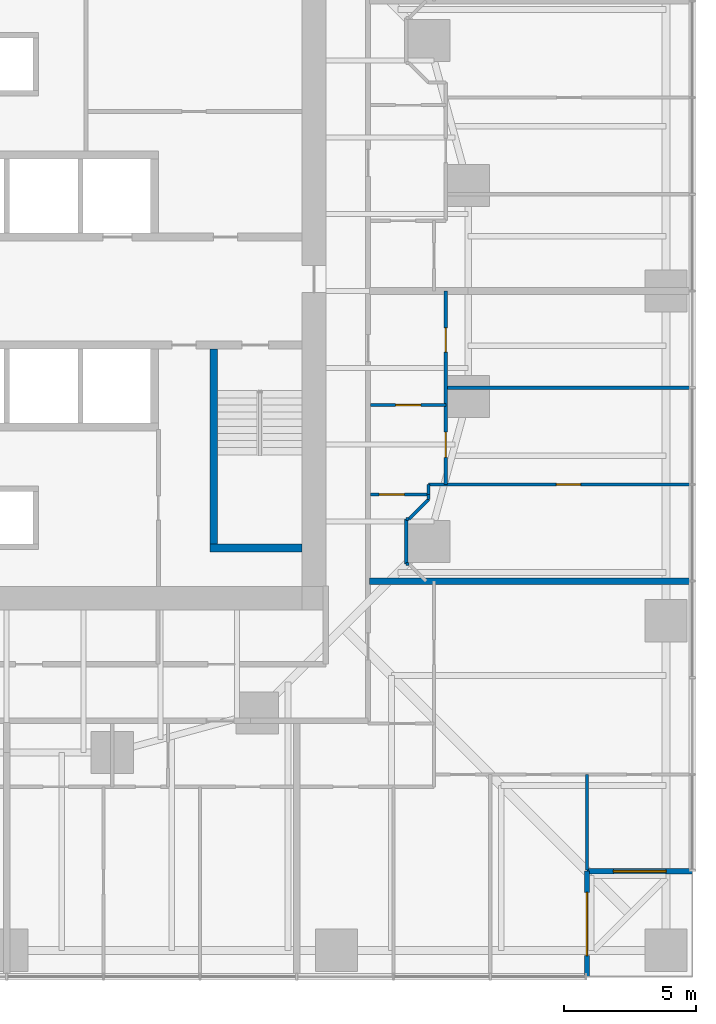
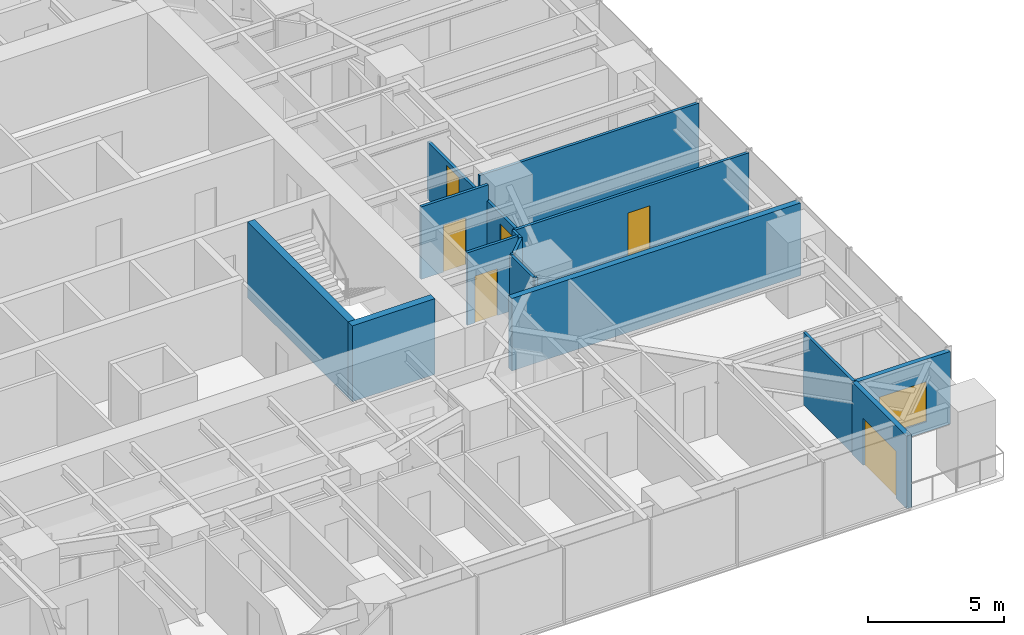
# One storey, part 12 of 18: 17 walls, 6 doors, 1 window, 7 openings.
"""IFC4 building model written with IfcOpenShell, lengths in metres."""

from ifc_helpers import new_model, si_unit, direction, frame, frame_2d, origin, place, context, subcontext, project, spatial, rectangle, extrude, material, layer, layer_set, type_object, element, fill, save


model = new_model("IFC4")

# Units and contexts
model_context = context("Model", 3, precision=1e-05, world=origin(), true_north=direction((0.0, 1.0)))
body_context = subcontext(model_context, "Body", "Model", "MODEL_VIEW")
ifc_project = project(units=[si_unit("LENGTHUNIT", "METRE"), si_unit("AREAUNIT", "SQUARE_METRE"), si_unit("VOLUMEUNIT", "CUBIC_METRE"), si_unit("PLANEANGLEUNIT", "RADIAN"), si_unit("MASSUNIT", "GRAM", prefix="KILO")], contexts=[model_context])

# Site, building, storey
site_placement = place(None, origin())
site = spatial("IfcSite", under=ifc_project, at=site_placement, CompositionType="ELEMENT")
building_placement = place(site_placement, origin())
building = spatial("IfcBuilding", under=site, at=building_placement, Name="Torsade Residences", CompositionType="ELEMENT")
storey_placement = place(building_placement, frame((0.0, 0.0, 25.199951171875)))
storey = spatial("IfcBuildingStorey", under=building, at=storey_placement, Name="L06", CompositionType="ELEMENT", Elevation=25.199951171875)

# Walls
ifc_material_1 = material(Name="Concrete 80 MPa", Category="concrete")
ifc_layer_1 = layer(ifc_material_1, 0.300048828125)
ifc_layer_set_1 = layer_set([ifc_layer_1], Name="Concrete 80 MPa")
wall_type_1 = type_object("IfcWallType", Name="CORE INTERNAL WALL 300", PredefinedType="SHEAR", material=ifc_layer_set_1)
wall_1_placement = place(storey_placement, frame((47.85009765625, 27.800048828125, 0.0), z_axis=(0.0, 0.0, 1.0), x_axis=(0.0, -1.0, 0.0)))
element("IfcWall", 1, at=wall_1_placement, inside=storey, type_object=wall_type_1, Name="Core wall ST2W L06", PredefinedType="SHEAR", context=body_context, shape_type="SweptSolid", body=[
    extrude(rectangle(XDim=7.699951171875, YDim=0.300048828125, at=frame_2d((3.85009765625, 0.0))), origin(), (0.0, 0.0, 1.0), 3.400146484375),
])
wall_2_placement = place(storey_placement, frame((51.199951171875, 20.25, 0.0), z_axis=(0.0, 0.0, 1.0), x_axis=(-1.0, 0.0, 0.0)))
element("IfcWall", 2, at=wall_2_placement, inside=storey, type_object=wall_type_1, Name="Core wall ST2S L06", PredefinedType="SHEAR", context=body_context, shape_type="SweptSolid", body=[
    extrude(rectangle(XDim=3.5, YDim=0.300048828125, at=frame_2d((1.75, 0.0))), origin(), (0.0, 0.0, 1.0), 3.400146484375),
])
ifc_material_2 = material(Name="Plasterboard on steel stud", Category="steel")
ifc_layer_2 = layer(ifc_material_2, 0.1201171875)
ifc_layer_set_2 = layer_set([ifc_layer_2], Name="Plasterboard on steel stud")
wall_type_2 = type_object("IfcWallType", Name="PARTITION 120", PredefinedType="PARTITIONING", material=ifc_layer_set_2)
wall_3_placement = place(storey_placement, frame((62.0, 11.666748046875, 0.0), z_axis=(0.0, 0.0, 1.0), x_axis=(0.0, -1.0, 0.0)))
element("IfcWall", 3, at=wall_3_placement, inside=storey, type_object=wall_type_2, Name="Partition L06", PredefinedType="PARTITIONING", context=body_context, shape_type="SweptSolid", body=[
    extrude(rectangle(XDim=3.626708984375, YDim=0.1201171875, at=frame_2d((1.8134765625, 0.0))), origin(), (0.0, 0.0, 1.0), 3.25),
])

# Wall, opening, door
wall_4_placement = place(storey_placement, frame((56.64990234375, 25.671875, 0.0), z_axis=(0.0, 0.0, 1.0), x_axis=(-1.0, 0.0, 0.0)))
wall_4 = element("IfcWall", 4, at=wall_4_placement, inside=storey, type_object=wall_type_2, Name="Partition L06", PredefinedType="PARTITIONING", context=body_context, shape_type="SweptSolid", body=[
    extrude(rectangle(XDim=2.849853515625, YDim=0.1201171875, at=frame_2d((1.4248046875, 0.0))), origin(), (0.0, 0.0, 1.0), 3.25),
])
opening_1_placement = place(wall_4_placement, frame((0.945068359375, 0.0, 0.0)))
opening_1 = element("IfcOpeningElement", 5, at=opening_1_placement, cuts=wall_4, Name="Opening D05", PredefinedType="OPENING", context=body_context, shape_type="SweptSolid", body=[
    extrude(rectangle(XDim=0.9599609375, YDim=2.10009765625, at=frame_2d((0.47998046875, 1.050048828125))), frame((0.0, 0.070068359375, 0.0), z_axis=(0.0, -1.0, 0.0), x_axis=(1.0, 0.0, 0.0)), (0.0, 0.0, 1.0), 0.14013671875),
])
ifc_material_3 = material(Name="Hollow-core timber door in a steel cavity frame", Category="steel")
door_type_1 = type_object("IfcDoorType", Name="BATHROOM CAVITY SLIDING DOOR 960", OperationType="SLIDING_TO_LEFT", PredefinedType="DOOR", material=ifc_material_3)
door_1_placement = place(opening_1_placement, origin())
door_1 = element("IfcDoor", 6, at=door_1_placement, inside=storey, type_object=door_type_1, Name="Door Kitchen and dining to Bathroom", OperationType="SLIDING_TO_LEFT", OverallHeight=2.10009765625, OverallWidth=0.9599609375, PredefinedType="DOOR", context=body_context, shape_type="SweptSolid", body=[
    extrude(rectangle(XDim=0.9599609375, YDim=2.10009765625, at=frame_2d((0.47998046875, 1.050048828125))), frame((0.0, 0.02490234375, 0.0), z_axis=(0.0, -1.0, 0.0), x_axis=(1.0, 0.0, 0.0)), (0.0, 0.0, 1.0), 0.050048828125),
])
fill(opening_1, door_1)

# Wall, openings, doors
wall_5_placement = place(storey_placement, frame((56.64990234375, 30.0, 0.0), z_axis=(0.0, 0.0, 1.0), x_axis=(0.0, -1.0, 0.0)))
wall_5 = element("IfcWall", 7, at=wall_5_placement, inside=storey, type_object=wall_type_2, Name="Partition L06", PredefinedType="PARTITIONING", context=body_context, shape_type="SweptSolid", body=[
    extrude(rectangle(XDim=7.333251953125, YDim=0.1201171875, at=frame_2d((3.66650390625, 0.0))), origin(), (0.0, 0.0, 1.0), 2.550048828125),
])
opening_2_placement = place(wall_5_placement, frame((1.3984375, 0.0, 0.0)))
opening_2 = element("IfcOpeningElement", 8, at=opening_2_placement, cuts=wall_5, Name="Opening D02", PredefinedType="OPENING", context=body_context, shape_type="SweptSolid", body=[
    extrude(rectangle(XDim=0.919921875, YDim=2.340087890625, at=frame_2d((0.4599609375, 1.169921875))), frame((0.0, 0.070068359375, 0.0), z_axis=(0.0, -1.0, 0.0), x_axis=(1.0, 0.0, 0.0)), (0.0, 0.0, 1.0), 0.14013671875),
])
opening_3_placement = place(wall_5_placement, frame((5.350830078125, 0.0, 0.0)))
opening_3 = element("IfcOpeningElement", 9, at=opening_3_placement, cuts=wall_5, Name="Opening D05", PredefinedType="OPENING", context=body_context, shape_type="SweptSolid", body=[
    extrude(rectangle(XDim=0.9599609375, YDim=2.10009765625, at=frame_2d((0.47998046875, 1.050048828125))), frame((0.0, 0.070068359375, 0.0), z_axis=(0.0, -1.0, 0.0), x_axis=(1.0, 0.0, 0.0)), (0.0, 0.0, 1.0), 0.14013671875),
])
door_2_placement = place(opening_3_placement, origin())
door_2 = element("IfcDoor", 10, at=door_2_placement, inside=storey, type_object=door_type_1, Name="Door Bathroom to Bedroom 2", OperationType="SLIDING_TO_LEFT", OverallHeight=2.10009765625, OverallWidth=0.9599609375, PredefinedType="DOOR", context=body_context, shape_type="SweptSolid", body=[
    extrude(rectangle(XDim=0.9599609375, YDim=2.10009765625, at=frame_2d((0.47998046875, 1.050048828125))), frame((0.0, 0.02490234375, 0.0), z_axis=(0.0, -1.0, 0.0), x_axis=(1.0, 0.0, 0.0)), (0.0, 0.0, 1.0), 0.050048828125),
])
fill(opening_3, door_2)
ifc_material_4 = material(Name="Hollow-core timber door", Category="wood")
door_type_2 = type_object("IfcDoorType", Name="INTERNAL DOOR 920x2340", OperationType="NOTDEFINED", PredefinedType="DOOR", material=ifc_material_4)
door_3_placement = place(opening_2_placement, origin())
door_3 = element("IfcDoor", 11, at=door_3_placement, inside=storey, type_object=door_type_2, Name="Door Kitchen and dining to Bedroom 1", OperationType="SINGLE_SWING_RIGHT", OverallHeight=2.340087890625, OverallWidth=0.919921875, PredefinedType="DOOR", context=body_context, shape_type="SweptSolid", body=[
    extrude(rectangle(XDim=0.919921875, YDim=2.340087890625, at=frame_2d((0.4599609375, 1.169921875))), frame((0.0, 0.02490234375, 0.0), z_axis=(0.0, -1.0, 0.0), x_axis=(1.0, 0.0, 0.0)), (0.0, 0.0, 1.0), 0.050048828125),
])
fill(opening_2, door_3)

# Wall, opening, door
wall_6_placement = place(storey_placement, frame((56.0, 22.278076171875, 0.0), z_axis=(0.0, 0.0, 1.0), x_axis=(-1.0, 0.0, 0.0)))
wall_6 = element("IfcWall", 12, at=wall_6_placement, inside=storey, type_object=wall_type_2, Name="Partition L06", PredefinedType="PARTITIONING", context=body_context, shape_type="SweptSolid", body=[
    extrude(rectangle(XDim=2.199951171875, YDim=0.1201171875, at=frame_2d((1.10009765625, 0.0))), origin(), (0.0, 0.0, 1.0), 3.25),
])
opening_4_placement = place(wall_6_placement, frame((0.919921875, 0.0, 0.0)))
opening_4 = element("IfcOpeningElement", 13, at=opening_4_placement, cuts=wall_6, Name="Opening D05", PredefinedType="OPENING", context=body_context, shape_type="SweptSolid", body=[
    extrude(rectangle(XDim=0.9599609375, YDim=2.10009765625, at=frame_2d((0.47998046875, 1.050048828125))), frame((0.0, 0.070068359375, 0.0), z_axis=(0.0, -1.0, 0.0), x_axis=(1.0, 0.0, 0.0)), (0.0, 0.0, 1.0), 0.14013671875),
])
door_4_placement = place(opening_4_placement, origin())
door_4 = element("IfcDoor", 14, at=door_4_placement, inside=storey, type_object=door_type_1, Name="Door Bathroom to Ensuite", OperationType="SLIDING_TO_LEFT", OverallHeight=2.10009765625, OverallWidth=0.9599609375, PredefinedType="DOOR", context=body_context, shape_type="SweptSolid", body=[
    extrude(rectangle(XDim=0.9599609375, YDim=2.10009765625, at=frame_2d((0.47998046875, 1.050048828125))), frame((0.0, 0.02490234375, 0.0), z_axis=(0.0, -1.0, 0.0), x_axis=(1.0, 0.0, 0.0)), (0.0, 0.0, 1.0), 0.050048828125),
])
fill(opening_4, door_4)

wall_7_placement = place(storey_placement, frame((65.9599609375, 22.666748046875, 0.0), z_axis=(0.0, 0.0, 1.0), x_axis=(-1.0, 0.0, 0.0)))
wall_7 = element("IfcWall", 15, at=wall_7_placement, inside=storey, type_object=wall_type_2, Name="Partition L06", PredefinedType="PARTITIONING", context=body_context, shape_type="SweptSolid", body=[
    extrude(rectangle(XDim=9.9599609375, YDim=0.1201171875, at=frame_2d((4.97998046875, 0.0))), origin(), (0.0, 0.0, 1.0), 3.25),
])
opening_5_placement = place(wall_7_placement, frame((4.199951171875, 0.0, 0.0)))
opening_5 = element("IfcOpeningElement", 16, at=opening_5_placement, cuts=wall_7, Name="Opening D02", PredefinedType="OPENING", context=body_context, shape_type="SweptSolid", body=[
    extrude(rectangle(XDim=0.919921875, YDim=2.340087890625, at=frame_2d((0.4599609375, 1.169921875))), frame((0.0, 0.070068359375, 0.0), z_axis=(0.0, -1.0, 0.0), x_axis=(1.0, 0.0, 0.0)), (0.0, 0.0, 1.0), 0.14013671875),
])
door_5_placement = place(opening_5_placement, origin())
door_5 = element("IfcDoor", 17, at=door_5_placement, inside=storey, type_object=door_type_2, Name="Door Bedroom 2 to Living room", OperationType="SINGLE_SWING_RIGHT", OverallHeight=2.340087890625, OverallWidth=0.919921875, PredefinedType="DOOR", context=body_context, shape_type="SweptSolid", body=[
    extrude(rectangle(XDim=0.919921875, YDim=2.340087890625, at=frame_2d((0.4599609375, 1.169921875))), frame((0.0, 0.02490234375, 0.0), z_axis=(0.0, -1.0, 0.0), x_axis=(1.0, 0.0, 0.0)), (0.0, 0.0, 1.0), 0.050048828125),
])
fill(opening_5, door_5)

# Walls
wall_8_placement = place(storey_placement, frame((56.0, 22.666748046875, 0.0), z_axis=(0.0, 0.0, 1.0), x_axis=(0.0, -1.0, 0.0)))
element("IfcWall", 18, at=wall_8_placement, inside=storey, type_object=wall_type_2, Name="Partition L06", PredefinedType="PARTITIONING", context=body_context, shape_type="SweptSolid", body=[
    extrude(rectangle(XDim=0.388671875, YDim=0.1201171875, at=frame_2d((0.1943359375, 0.0))), origin(), (0.0, 0.0, 1.0), 3.25),
])
wall_9_placement = place(storey_placement, frame((56.0, 22.10009765625, 0.0), z_axis=(0.0, 0.0, 1.0), x_axis=(-0.707106781187, -0.707106781187, 0.0)))
element("IfcWall", 19, at=wall_9_placement, inside=storey, type_object=wall_type_2, Name="Partition L06", PredefinedType="PARTITIONING", context=body_context, shape_type="SweptSolid", body=[
    extrude(rectangle(XDim=1.060546875, YDim=0.1201171875, at=frame_2d((0.5302734375, 0.0))), origin(), (0.0, 0.0, 1.0), 3.25),
])
wall_10_placement = place(storey_placement, frame((55.14990234375, 21.35009765625, 0.0), z_axis=(0.0, 0.0, 1.0), x_axis=(0.0, -1.0, 0.0)))
element("IfcWall", 20, at=wall_10_placement, inside=storey, type_object=wall_type_2, Name="Partition L06", PredefinedType="PARTITIONING", context=body_context, shape_type="SweptSolid", body=[
    extrude(rectangle(XDim=1.7001953125, YDim=0.1201171875, at=frame_2d((0.85009765625, 0.0))), origin(), (0.0, 0.0, 1.0), 3.25),
])
wall_11_placement = place(storey_placement, frame((65.9599609375, 26.333251953125, 0.0), z_axis=(0.0, 0.0, 1.0), x_axis=(-1.0, 0.0, 0.0)))
element("IfcWall", 21, at=wall_11_placement, inside=storey, type_object=wall_type_2, Name="Partition L06", PredefinedType="PARTITIONING", context=body_context, shape_type="SweptSolid", body=[
    extrude(rectangle(XDim=9.31005859375, YDim=0.1201171875, at=frame_2d((4.655029296875, 0.0))), origin(), (0.0, 0.0, 1.0), 3.25),
])
wall_12_placement = place(storey_placement, frame((56.0, 22.10009765625, 0.0), z_axis=(0.0, 0.0, 1.0), x_axis=(0.0, 1.0, 0.0)))
element("IfcWall", 22, at=wall_12_placement, inside=storey, type_object=wall_type_2, Name="Partition L06", PredefinedType="PARTITIONING", context=body_context, shape_type="SweptSolid", body=[
    extrude(rectangle(XDim=0.177978515625, YDim=0.1201171875, at=frame_2d((0.0888671875, 0.0))), origin(), (0.0, 0.0, 1.0), 3.25),
])
for number, where, z_axis, x_axis, name in (
    (23, (55.14990234375, 21.35009765625, 0.0), (0.0, 0.0, 1.0), (1.0, 0.0, 0.0), "Partition L06"),
    (24, (55.14990234375, 19.64990234375, 0.0), (0.0, 0.0, 1.0), (1.0, 0.0, 0.0), "Partition L06"),
):
    element("IfcWall", number, at=place(storey_placement, frame(where, z_axis=z_axis, x_axis=x_axis)), inside=storey, type_object=wall_type_2, Name=name, PredefinedType="PARTITIONING", context=body_context, shape_type="SweptSolid", body=[
        extrude(rectangle(XDim=0.10009765625, YDim=0.1201171875, at=frame_2d((0.050048828125, 0.0))), origin(), (0.0, 0.0, 1.0), 3.25),
    ])
ifc_material_5 = material(Name="Masonry-lined stud party wall", Category="masonry")
ifc_layer_3 = layer(ifc_material_5, 0.25)
ifc_layer_set_3 = layer_set([ifc_layer_3], Name="Masonry-lined stud party wall")
wall_type_3 = type_object("IfcWallType", Name="PARTY WALL 250", PredefinedType="PARTITIONING", material=ifc_layer_set_3)
wall_13_placement = place(storey_placement, frame((66.0, 19.0, 0.0), z_axis=(0.0, 0.0, 1.0), x_axis=(-1.0, 0.0, 0.0)))
element("IfcWall", 25, at=wall_13_placement, inside=storey, type_object=wall_type_3, Name="Party wall L06", PredefinedType="PARTITIONING", context=body_context, shape_type="SweptSolid", body=[
    extrude(rectangle(XDim=12.239990234375, YDim=0.25, at=frame_2d((6.1201171875, 0.0))), origin(), (0.0, 0.0, 1.0), 3.25),
])

# Wall, opening, door
ifc_material_6 = material(Name="Stone-faced precast concrete 40 MPa panel", Category="masonry")
ifc_layer_4 = layer(ifc_material_6, 0.199951171875)
ifc_layer_set_4 = layer_set([ifc_layer_4], Name="Stone-faced precast concrete 40 MPa panel")
wall_type_4 = type_object("IfcWallType", Name="TERRACE WALL 200", PredefinedType="SOLIDWALL", material=ifc_layer_set_4)
wall_14_placement = place(storey_placement, frame((62.0, 4.0, 0.0), z_axis=(0.0, 0.0, 1.0), x_axis=(0.0, 1.0, 0.0)))
wall_14 = element("IfcWall", 26, at=wall_14_placement, inside=storey, type_object=wall_type_4, Name="Terrace wall L06 2", PredefinedType="SOLIDWALL", context=body_context, shape_type="SweptSolid", body=[
    extrude(rectangle(XDim=4.0, YDim=0.199951171875, at=frame_2d((2.0, 0.0))), origin(), (0.0, 0.0, 1.0), 3.25),
])
opening_6_placement = place(wall_14_placement, frame((0.800048828125, 0.0, 0.0)))
opening_6 = element("IfcOpeningElement", 27, at=opening_6_placement, cuts=wall_14, Name="Opening D10A", PredefinedType="OPENING", context=body_context, shape_type="SweptSolid", body=[
    extrude(rectangle(XDim=2.39990234375, YDim=2.10009765625, at=frame_2d((1.199951171875, 1.050048828125))), frame((0.0, 0.10986328125, 0.0), z_axis=(0.0, -1.0, 0.0), x_axis=(1.0, 0.0, 0.0)), (0.0, 0.0, 1.0), 0.219970703125),
])
ifc_material_7 = material(Name="Aluminium-framed glass door", Category="aluminium")
door_type_3 = type_object("IfcDoorType", Name="TERRACE SLIDING DOOR 2400x2100", OperationType="SLIDING_TO_LEFT", PredefinedType="DOOR", material=ifc_material_7)
door_6_placement = place(opening_6_placement, origin())
door_6 = element("IfcDoor", 28, at=door_6_placement, inside=storey, type_object=door_type_3, Name="Terrace door L06 2", OperationType="SLIDING_TO_LEFT", OverallHeight=2.10009765625, OverallWidth=2.39990234375, PredefinedType="DOOR", context=body_context, shape_type="SweptSolid", body=[
    extrude(rectangle(XDim=2.39990234375, YDim=2.10009765625, at=frame_2d((1.199951171875, 1.050048828125))), frame((0.0, 0.02490234375, 0.0), z_axis=(0.0, -1.0, 0.0), x_axis=(1.0, 0.0, 0.0)), (0.0, 0.0, 1.0), 0.050048828125),
])
fill(opening_6, door_6)

# Wall, opening, window
wall_15_placement = place(storey_placement, frame((62.0, 8.0, 0.0), z_axis=(0.0, 0.0, 1.0), x_axis=(1.0, 0.0, 0.0)))
wall_15 = element("IfcWall", 29, at=wall_15_placement, inside=storey, type_object=wall_type_4, Name="Terrace wall L06 3", PredefinedType="SOLIDWALL", context=body_context, shape_type="SweptSolid", body=[
    extrude(rectangle(XDim=4.0, YDim=0.199951171875, at=frame_2d((2.0, 0.0))), origin(), (0.0, 0.0, 1.0), 3.25),
])
opening_7_placement = place(wall_15_placement, frame((1.0, 0.0, 0.449951171875)))
opening_7 = element("IfcOpeningElement", 30, at=opening_7_placement, cuts=wall_15, Name="Opening W1B", PredefinedType="OPENING", context=body_context, shape_type="SweptSolid", body=[
    extrude(rectangle(XDim=2.0, YDim=1.800048828125, at=frame_2d((1.0, 0.89990234375))), frame((0.0, 0.10986328125, 0.0), z_axis=(0.0, -1.0, 0.0), x_axis=(1.0, 0.0, 0.0)), (0.0, 0.0, 1.0), 0.219970703125),
])
ifc_material_8 = material(Name="Aluminium-framed glass window", Category="aluminium")
window_type = type_object("IfcWindowType", Name="TERRACE WINDOW 2000x1800", PartitioningType="SINGLE_PANEL", PredefinedType="WINDOW", material=ifc_material_8)
window_placement = place(opening_7_placement, origin())
window = element("IfcWindow", 31, at=window_placement, inside=storey, type_object=window_type, Name="Terrace window L06 3", OverallHeight=1.800048828125, OverallWidth=2.0, PartitioningType="SINGLE_PANEL", PredefinedType="WINDOW", context=body_context, shape_type="SweptSolid", body=[
    extrude(rectangle(XDim=2.0, YDim=1.800048828125, at=frame_2d((1.0, 0.89990234375))), frame((0.0, 0.030029296875, 0.0), z_axis=(0.0, -1.0, 0.0), x_axis=(1.0, 0.0, 0.0)), (0.0, 0.0, 1.0), 0.06005859375),
])
fill(opening_7, window)

save(model, "model.ifc")
